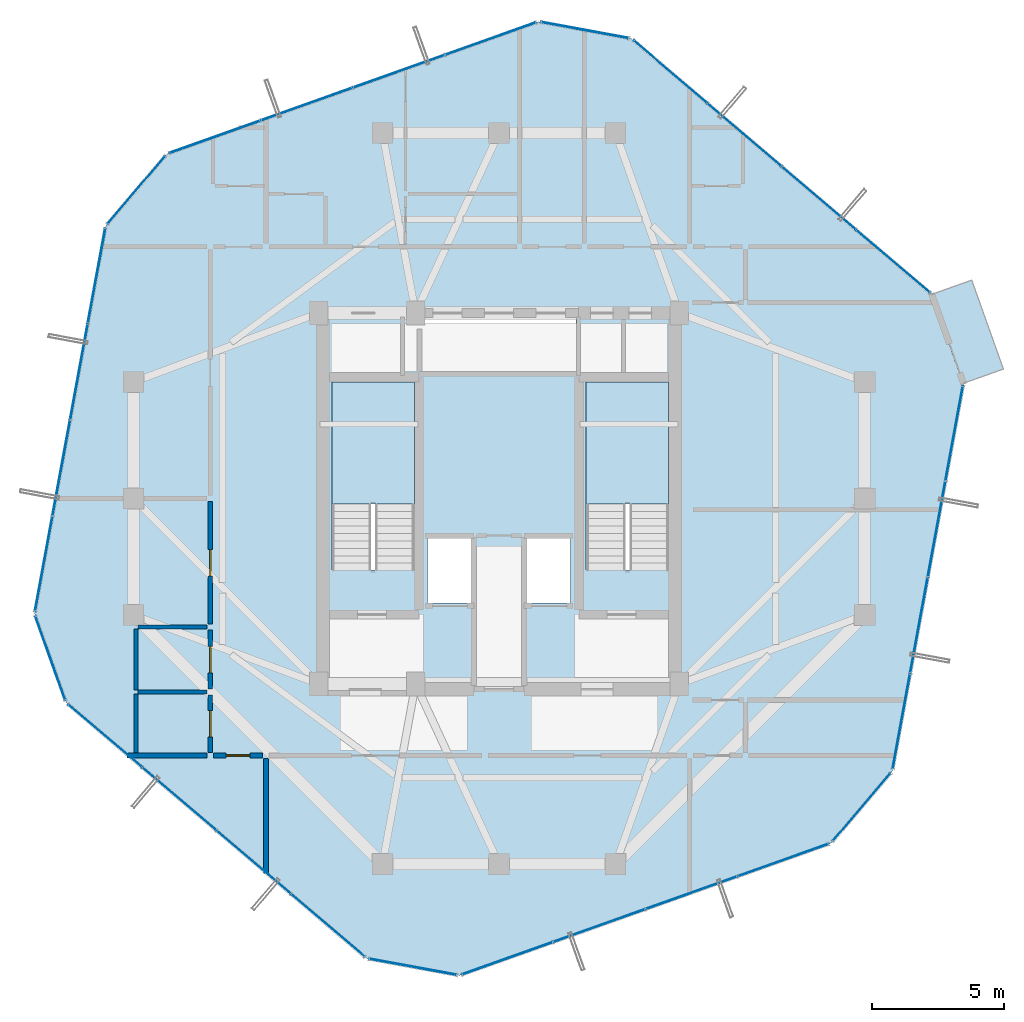
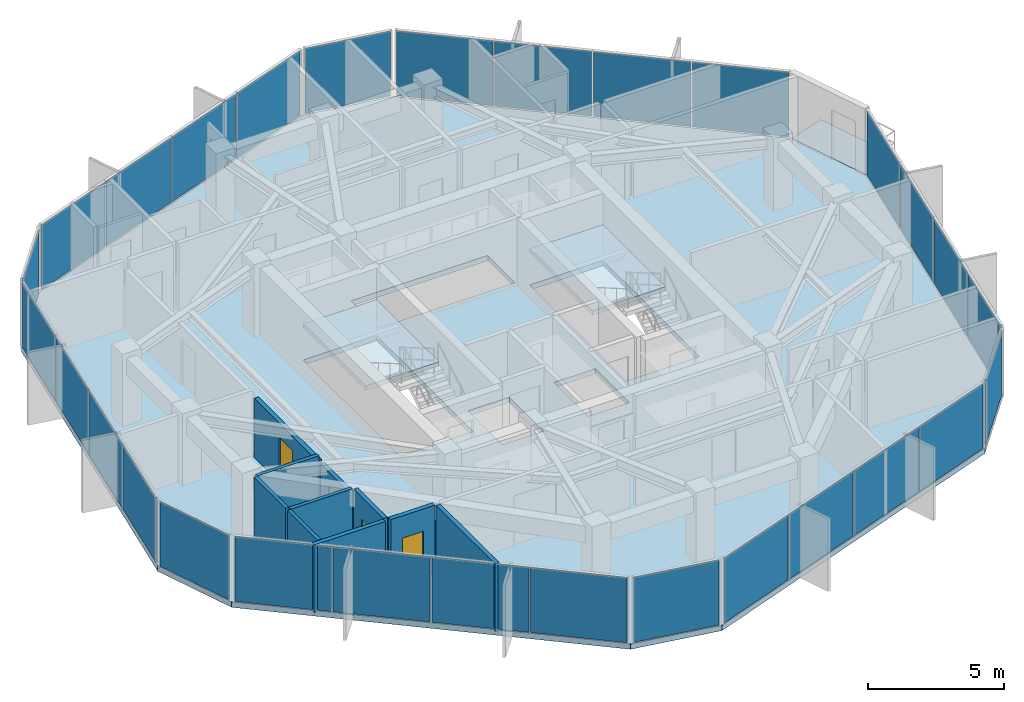
# One storey, part 24 of 29: 29 plates, 10 walls, 4 doors, 4 slabs, 4 openings, 13 elements without a shape of their own.
"""IFC4 building model written with IfcOpenShell, lengths in metres."""

from ifc_helpers import new_model, si_unit, direction, frame, frame_2d, origin, origin_2d, place, context, subcontext, project, spatial, polyline, rectangle, outline, extrude, source, transform, mapped, material, layer, layer_set, type_object, element, fill, aggregate, save


model = new_model("IFC4")

# Units and contexts
model_context = context("Model", 3, precision=1e-05, world=origin(), true_north=direction((0.0, 1.0)))
body_context = subcontext(model_context, "Body", "Model", "MODEL_VIEW")
ifc_project = project(units=[si_unit("LENGTHUNIT", "METRE"), si_unit("AREAUNIT", "SQUARE_METRE"), si_unit("VOLUMEUNIT", "CUBIC_METRE"), si_unit("PLANEANGLEUNIT", "RADIAN"), si_unit("MASSUNIT", "GRAM", prefix="KILO")], contexts=[model_context])

# Site, building, storey
site_placement = place(None, origin())
site = spatial("IfcSite", under=ifc_project, at=site_placement, CompositionType="ELEMENT")
building_placement = place(site_placement, origin())
building = spatial("IfcBuilding", under=site, at=building_placement, Name="Veraguas Prism Commons", CompositionType="ELEMENT")
storey_placement = place(building_placement, frame((0.0, 0.0, 244.75)))
storey = spatial("IfcBuildingStorey", under=building, at=storey_placement, Name="L69", CompositionType="ELEMENT", Elevation=244.75)

# Stair, slab
ifc_material_1 = material(Name="Precast concrete C45/55", Category="concrete")
stair_type = type_object("IfcStairType", Name="Dogleg Core Stair 1480W 20R 05", PredefinedType="HALF_TURN_STAIR", material=ifc_material_1)
stair_1_placement = place(storey_placement, origin())
stair_1 = element("IfcStair", 1, at=stair_1_placement, inside=storey, type_object=stair_type, Name="Protected Exit Stair ST-01 L69", PredefinedType="HALF_TURN_STAIR")
ifc_layer_1 = layer(ifc_material_1, 0.199951171875, Name="Precast Stair and Ramp Landing Slab 200", Category="concrete")
ifc_layer_set_1 = layer_set([ifc_layer_1], Name="Precast concrete C45/55")
slab_type_1 = type_object("IfcSlabType", Name="Precast Stair and Ramp Landing Slab 200", PredefinedType="LANDING", material=ifc_layer_set_1)
slab_1_placement = place(storey_placement, frame((0.0, 0.0, 1.425048828125)))
slab_1 = element("IfcSlab", 2, at=slab_1_placement, type_object=slab_type_1, Name="ST-05 Landing 1", PredefinedType="LANDING", context=body_context, shape_type="SweptSolid", body=[
    extrude(outline(polyline([(20.800048828125, 23.800048828125), (20.800048828125, 28.39990234375), (17.68994140625, 28.39990234375), (17.68994140625, 23.800048828125), (20.800048828125, 23.800048828125)])), origin(), (0.0, 0.0, 1.0), 0.199951171875),
])
aggregate(stair_1, [slab_1])

stair_2_placement = place(storey_placement, origin())
stair_2 = element("IfcStair", 3, at=stair_2_placement, inside=storey, type_object=stair_type, Name="Protected Exit Stair ST-02 L69", PredefinedType="HALF_TURN_STAIR")
slab_2_placement = place(storey_placement, frame((0.0, 0.0, 1.425048828125)))
slab_2 = element("IfcSlab", 4, at=slab_2_placement, type_object=slab_type_1, Name="ST-05 Landing 1", PredefinedType="LANDING", context=body_context, shape_type="SweptSolid", body=[
    extrude(outline(polyline([(30.39990234375, 23.800048828125), (30.39990234375, 28.39990234375), (27.2900390625, 28.39990234375), (27.2900390625, 23.800048828125), (30.39990234375, 23.800048828125)])), origin(), (0.0, 0.0, 1.0), 0.199951171875),
])
aggregate(stair_2, [slab_2])

# Slabs
ifc_material_2 = material(Name="Concrete C45/55", Category="concrete")
ifc_layer_2 = layer(ifc_material_2, 0.219970703125, Name="Recessed Loggia and Terrace Slab RC 220", Category="concrete")
ifc_layer_set_2 = layer_set([ifc_layer_2], Name="Concrete C45/55")
slab_type_2 = type_object("IfcSlabType", Name="Recessed Loggia and Terrace Slab RC 220", PredefinedType="FLOOR", material=ifc_layer_set_2)
slab_3_placement = place(storey_placement, frame((0.0, 0.0, -0.219970703125)))
element("IfcSlab", 5, at=slab_3_placement, inside=storey, type_object=slab_type_2, Name="Recessed Corner Loggia L69-C1", PredefinedType="FLOOR", context=body_context, shape_type="SweptSolid", body=[
    extrude(outline(polyline([(41.509033203125, 28.343994140625), (43.03515625, 28.88720703125), (41.840087890625, 32.243408203125), (40.31396484375, 31.699951171875), (41.509033203125, 28.343994140625)])), origin(), (0.0, 0.0, 1.0), 0.219970703125),
])
ifc_layer_3 = layer(ifc_material_2, 0.235107421875, Name="Tower Upper Residential Floor Slab RC 235", Category="concrete")
ifc_layer_set_3 = layer_set([ifc_layer_3], Name="Concrete C45/55")
slab_type_3 = type_object("IfcSlabType", Name="Tower Upper Residential Floor Slab RC 235", PredefinedType="FLOOR", material=ifc_layer_set_3)
slab_4_placement = place(storey_placement, frame((0.0, 0.0, -0.235107421875)))
element("IfcSlab", 6, at=slab_4_placement, inside=storey, type_object=slab_type_3, Name="Tower Floor Slab L69", PredefinedType="FLOOR", context=body_context, shape_type="SweptSolid", body=[
    extrude(outline(polyline([(41.52783203125, 28.3505859375), (40.332763671875, 31.70654296875), (28.99609375, 41.354736328125), (25.4921875, 41.997802734375), (11.468505859375, 37.004150390625), (9.159423828125, 34.291259765625), (6.47216796875, 19.6494140625), (7.667236328125, 16.29345703125), (19.00390625, 6.645263671875), (22.5078125, 6.002197265625), (36.531494140625, 10.995849609375), (38.840576171875, 13.708740234375), (41.52783203125, 28.3505859375)]), holes=[polyline([(20.800048828125, 21.31005859375), (20.800048828125, 28.39990234375), (17.68994140625, 28.39990234375), (17.68994140625, 21.31005859375), (20.800048828125, 21.31005859375)]), polyline([(30.39990234375, 21.31005859375), (30.39990234375, 28.39990234375), (27.2900390625, 28.39990234375), (27.2900390625, 21.31005859375), (30.39990234375, 21.31005859375)]), polyline([(21.10009765625, 28.800048828125), (26.89990234375, 28.800048828125), (26.89990234375, 30.800048828125), (21.10009765625, 30.800048828125), (21.10009765625, 28.800048828125)]), polyline([(21.300048828125, 20.050048828125), (23.050048828125, 20.050048828125), (23.050048828125, 22.550048828125), (21.300048828125, 22.550048828125), (21.300048828125, 20.050048828125)]), polyline([(24.949951171875, 20.050048828125), (26.699951171875, 20.050048828125), (26.699951171875, 22.550048828125), (24.949951171875, 22.550048828125), (24.949951171875, 20.050048828125)])]), origin(), (0.0, 0.0, 1.0), 0.235107421875),
])

# Curtain wall, plates
ifc_material_3 = material(Name="Anodised aluminium EN AW-6063 T6", Category="aluminium")
ifc_layer_4 = layer(ifc_material_3, 0.14990234375, Name="Unitised Flush Curtain Wall Zone 4", Category="aluminium")
ifc_layer_set_4 = layer_set([ifc_layer_4], Name="Anodised aluminium EN AW-6063 T6")
curtain_wall_type = type_object("IfcCurtainWallType", Name="Unitised Flush Curtain Wall Zone 4", PredefinedType="NOTDEFINED", material=ifc_layer_set_4)
curtain_wall_1_placement = place(storey_placement, origin())
curtain_wall_1 = element("IfcCurtainWall", 7, at=curtain_wall_1_placement, inside=storey, type_object=curtain_wall_type, Name="Tower Facade Curtain Wall L69-F1", PredefinedType="NOTDEFINED")
ifc_material_4 = material(Name="Laminated low-e glass", Category="glass")
ifc_layer_5 = layer(ifc_material_4, 0.028076171875, Name="Unitised Double Low-E Glazed Panel 28", Category="glass")
ifc_layer_set_5 = layer_set([ifc_layer_5], Name="Laminated low-e glass")
plate_type = type_object("IfcPlateType", Name="Unitised Double Low-E Glazed Panel 28", PredefinedType="CURTAIN_PANEL", material=ifc_layer_set_5)
shared_shape_1 = source(origin(), body_context, "Body", "SweptSolid", [
    extrude(rectangle(XDim=3.6015625, YDim=0.028076171875, at=origin_2d()), origin(), (0.0, 0.0, 1.0), 2.905029296875),
])
plate_1_placement = place(storey_placement, frame((38.8701171875, 32.951416015625, 0.05517578125), z_axis=(0.0, 0.0, 1.0), x_axis=(-0.761538307537, 0.648119901063, 0.0)))
plate_1 = element("IfcPlate", 8, at=plate_1_placement, type_object=plate_type, Name="CW-Z4 Panel 1.1", PredefinedType="CURTAIN_PANEL", context=body_context, shape_type="MappedRepresentation", body=[
    mapped(shared_shape_1, transform((0.0, 0.0, 0.0), scale=1.0)),
])
plate_2_placement = place(storey_placement, frame((30.458984375, 40.10986328125, 0.05517578125), z_axis=(0.0, 0.0, 1.0), x_axis=(-0.761538307537, 0.648119901063, 0.0)))
plate_2 = element("IfcPlate", 9, at=plate_2_placement, type_object=plate_type, Name="CW-Z4 Panel 4.1", PredefinedType="CURTAIN_PANEL", context=body_context, shape_type="MappedRepresentation", body=[
    mapped(shared_shape_1, transform((0.0, 0.0, 0.0), scale=1.0)),
])

curtain_wall_2_placement = place(storey_placement, origin())
curtain_wall_2 = element("IfcCurtainWall", 10, at=curtain_wall_2_placement, inside=storey, type_object=curtain_wall_type, Name="Tower Facade Curtain Wall L69-F2", PredefinedType="NOTDEFINED")
plate_3_placement = place(storey_placement, frame((23.6826171875, 41.353515625, 0.05517578125), z_axis=(0.0, 0.0, 1.0), x_axis=(-0.942055696354, -0.335456502347, 0.0)))
plate_3 = element("IfcPlate", 11, at=plate_3_placement, type_object=plate_type, Name="CW-Z4 Panel 1.1", PredefinedType="CURTAIN_PANEL", context=body_context, shape_type="MappedRepresentation", body=[
    mapped(shared_shape_1, transform((0.0, 0.0, 0.0), scale=1.0)),
])
plate_4_placement = place(storey_placement, frame((13.27783203125, 37.6484375, 0.05517578125), z_axis=(0.0, 0.0, 1.0), x_axis=(-0.942055696354, -0.335456502347, 0.0)))
plate_4 = element("IfcPlate", 12, at=plate_4_placement, type_object=plate_type, Name="CW-Z4 Panel 4.1", PredefinedType="CURTAIN_PANEL", context=body_context, shape_type="MappedRepresentation", body=[
    mapped(shared_shape_1, transform((0.0, 0.0, 0.0), scale=1.0)),
])

curtain_wall_3_placement = place(storey_placement, origin())
curtain_wall_3 = element("IfcCurtainWall", 13, at=curtain_wall_3_placement, inside=storey, type_object=curtain_wall_type, Name="Tower Facade Curtain Wall L69-F3", PredefinedType="NOTDEFINED")
plate_5_placement = place(storey_placement, frame((8.812744140625, 32.402099609375, 0.05517578125), z_axis=(0.0, 0.0, 1.0), x_axis=(-0.180524295216, -0.983570525604, 0.0)))
plate_5 = element("IfcPlate", 14, at=plate_5_placement, type_object=plate_type, Name="CW-Z4 Panel 1.1", PredefinedType="CURTAIN_PANEL", context=body_context, shape_type="MappedRepresentation", body=[
    mapped(shared_shape_1, transform((0.0, 0.0, 0.0), scale=1.0)),
])
plate_6_placement = place(storey_placement, frame((6.81884765625, 21.53857421875, 0.05517578125), z_axis=(0.0, 0.0, 1.0), x_axis=(-0.180524295216, -0.983570525604, 0.0)))
plate_6 = element("IfcPlate", 15, at=plate_6_placement, type_object=plate_type, Name="CW-Z4 Panel 4.1", PredefinedType="CURTAIN_PANEL", context=body_context, shape_type="MappedRepresentation", body=[
    mapped(shared_shape_1, transform((0.0, 0.0, 0.0), scale=1.0)),
])

curtain_wall_4_placement = place(storey_placement, origin())
curtain_wall_4 = element("IfcCurtainWall", 16, at=curtain_wall_4_placement, inside=storey, type_object=curtain_wall_type, Name="Tower Facade Curtain Wall L69-F4", PredefinedType="NOTDEFINED")
plate_7_placement = place(storey_placement, frame((9.1298828125, 15.048583984375, 0.05517578125), z_axis=(0.0, 0.0, 1.0), x_axis=(0.761538307537, -0.648119901063, 0.0)))
plate_7 = element("IfcPlate", 17, at=plate_7_placement, type_object=plate_type, Name="CW-Z4 Panel 1.1", PredefinedType="CURTAIN_PANEL", context=body_context, shape_type="MappedRepresentation", body=[
    mapped(shared_shape_1, transform((0.0, 0.0, 0.0), scale=1.0)),
])
plate_8_placement = place(storey_placement, frame((17.541015625, 7.89013671875, 0.05517578125), z_axis=(0.0, 0.0, 1.0), x_axis=(0.761538307537, -0.648119901063, 0.0)))
plate_8 = element("IfcPlate", 18, at=plate_8_placement, type_object=plate_type, Name="CW-Z4 Panel 4.1", PredefinedType="CURTAIN_PANEL", context=body_context, shape_type="MappedRepresentation", body=[
    mapped(shared_shape_1, transform((0.0, 0.0, 0.0), scale=1.0)),
])

curtain_wall_5_placement = place(storey_placement, origin())
curtain_wall_5 = element("IfcCurtainWall", 19, at=curtain_wall_5_placement, inside=storey, type_object=curtain_wall_type, Name="Tower Facade Curtain Wall L69-F5", PredefinedType="NOTDEFINED")
plate_9_placement = place(storey_placement, frame((24.3173828125, 6.646484375, 0.05517578125), z_axis=(0.0, 0.0, 1.0), x_axis=(0.942055696354, 0.335456502347, 0.0)))
plate_9 = element("IfcPlate", 20, at=plate_9_placement, type_object=plate_type, Name="CW-Z4 Panel 1.1", PredefinedType="CURTAIN_PANEL", context=body_context, shape_type="MappedRepresentation", body=[
    mapped(shared_shape_1, transform((0.0, 0.0, 0.0), scale=1.0)),
])
plate_10_placement = place(storey_placement, frame((34.72216796875, 10.3515625, 0.05517578125), z_axis=(0.0, 0.0, 1.0), x_axis=(0.942055696354, 0.335456502347, 0.0)))
plate_10 = element("IfcPlate", 21, at=plate_10_placement, type_object=plate_type, Name="CW-Z4 Panel 4.1", PredefinedType="CURTAIN_PANEL", context=body_context, shape_type="MappedRepresentation", body=[
    mapped(shared_shape_1, transform((0.0, 0.0, 0.0), scale=1.0)),
])

curtain_wall_6_placement = place(storey_placement, origin())
curtain_wall_6 = element("IfcCurtainWall", 22, at=curtain_wall_6_placement, inside=storey, type_object=curtain_wall_type, Name="Tower Facade Curtain Wall L69-F6", PredefinedType="NOTDEFINED")
plate_11_placement = place(storey_placement, frame((39.187255859375, 15.597900390625, 0.05517578125), z_axis=(0.0, 0.0, 1.0), x_axis=(0.180524295216, 0.983570525604, 0.0)))
plate_11 = element("IfcPlate", 23, at=plate_11_placement, type_object=plate_type, Name="CW-Z4 Panel 1.1", PredefinedType="CURTAIN_PANEL", context=body_context, shape_type="MappedRepresentation", body=[
    mapped(shared_shape_1, transform((0.0, 0.0, 0.0), scale=1.0)),
])
plate_12_placement = place(storey_placement, frame((41.18115234375, 26.46142578125, 0.05517578125), z_axis=(0.0, 0.0, 1.0), x_axis=(0.180524295216, 0.983570525604, 0.0)))
plate_12 = element("IfcPlate", 24, at=plate_12_placement, type_object=plate_type, Name="CW-Z4 Panel 4.1", PredefinedType="CURTAIN_PANEL", context=body_context, shape_type="MappedRepresentation", body=[
    mapped(shared_shape_1, transform((0.0, 0.0, 0.0), scale=1.0)),
])

# Plate
shared_shape_2 = source(origin(), body_context, "Body", "SweptSolid", [
    extrude(rectangle(XDim=3.631591796875, YDim=0.028076171875, at=origin_2d()), origin(), (0.0, 0.0, 1.0), 2.905029296875),
])
plate_13_placement = place(storey_placement, frame((36.070068359375, 35.33447265625, 0.05517578125), z_axis=(0.0, 0.0, 1.0), x_axis=(-0.761538307537, 0.648119901063, 0.0)))
plate_13 = element("IfcPlate", 25, at=plate_13_placement, type_object=plate_type, Name="CW-Z4 Panel 2.1", PredefinedType="CURTAIN_PANEL", context=body_context, shape_type="MappedRepresentation", body=[
    mapped(shared_shape_2, transform((0.0, 0.0, 0.0), scale=1.0)),
])

plate_14_placement = place(storey_placement, frame((33.2587890625, 37.72705078125, 0.05517578125), z_axis=(0.0, 0.0, 1.0), x_axis=(-0.761538307537, 0.648119901063, 0.0)))
plate_14 = element("IfcPlate", 26, at=plate_14_placement, type_object=plate_type, Name="CW-Z4 Panel 3.1", PredefinedType="CURTAIN_PANEL", context=body_context, shape_type="MappedRepresentation", body=[
    mapped(shared_shape_2, transform((0.0, 0.0, 0.0), scale=1.0)),
])

aggregate(curtain_wall_1, [plate_1, plate_13, plate_14, plate_2])

plate_15_placement = place(storey_placement, frame((20.21923828125, 40.1201171875, 0.05517578125), z_axis=(0.0, 0.0, 1.0), x_axis=(-0.942055696354, -0.335456502347, 0.0)))
plate_15 = element("IfcPlate", 27, at=plate_15_placement, type_object=plate_type, Name="CW-Z4 Panel 2.1", PredefinedType="CURTAIN_PANEL", context=body_context, shape_type="MappedRepresentation", body=[
    mapped(shared_shape_2, transform((0.0, 0.0, 0.0), scale=1.0)),
])

plate_16_placement = place(storey_placement, frame((16.741455078125, 38.8818359375, 0.05517578125), z_axis=(0.0, 0.0, 1.0), x_axis=(-0.942055696354, -0.335456502347, 0.0)))
plate_16 = element("IfcPlate", 28, at=plate_16_placement, type_object=plate_type, Name="CW-Z4 Panel 3.1", PredefinedType="CURTAIN_PANEL", context=body_context, shape_type="MappedRepresentation", body=[
    mapped(shared_shape_2, transform((0.0, 0.0, 0.0), scale=1.0)),
])

aggregate(curtain_wall_2, [plate_3, plate_15, plate_16, plate_4])

plate_17_placement = place(storey_placement, frame((8.149169921875, 28.785888671875, 0.05517578125), z_axis=(0.0, 0.0, 1.0), x_axis=(-0.180524295216, -0.983570525604, 0.0)))
plate_17 = element("IfcPlate", 29, at=plate_17_placement, type_object=plate_type, Name="CW-Z4 Panel 2.1", PredefinedType="CURTAIN_PANEL", context=body_context, shape_type="MappedRepresentation", body=[
    mapped(shared_shape_2, transform((0.0, 0.0, 0.0), scale=1.0)),
])

plate_18_placement = place(storey_placement, frame((7.482666015625, 25.15478515625, 0.05517578125), z_axis=(0.0, 0.0, 1.0), x_axis=(-0.180524295216, -0.983570525604, 0.0)))
plate_18 = element("IfcPlate", 30, at=plate_18_placement, type_object=plate_type, Name="CW-Z4 Panel 3.1", PredefinedType="CURTAIN_PANEL", context=body_context, shape_type="MappedRepresentation", body=[
    mapped(shared_shape_2, transform((0.0, 0.0, 0.0), scale=1.0)),
])

aggregate(curtain_wall_3, [plate_5, plate_17, plate_18, plate_6])

plate_19_placement = place(storey_placement, frame((11.929931640625, 12.66552734375, 0.05517578125), z_axis=(0.0, 0.0, 1.0), x_axis=(0.761538307537, -0.648119901063, 0.0)))
plate_19 = element("IfcPlate", 31, at=plate_19_placement, type_object=plate_type, Name="CW-Z4 Panel 2.1", PredefinedType="CURTAIN_PANEL", context=body_context, shape_type="MappedRepresentation", body=[
    mapped(shared_shape_2, transform((0.0, 0.0, 0.0), scale=1.0)),
])

plate_20_placement = place(storey_placement, frame((14.7412109375, 10.27294921875, 0.05517578125), z_axis=(0.0, 0.0, 1.0), x_axis=(0.761538307537, -0.648119901063, 0.0)))
plate_20 = element("IfcPlate", 32, at=plate_20_placement, type_object=plate_type, Name="CW-Z4 Panel 3.1", PredefinedType="CURTAIN_PANEL", context=body_context, shape_type="MappedRepresentation", body=[
    mapped(shared_shape_2, transform((0.0, 0.0, 0.0), scale=1.0)),
])

aggregate(curtain_wall_4, [plate_7, plate_19, plate_20, plate_8])

plate_21_placement = place(storey_placement, frame((27.78076171875, 7.8798828125, 0.05517578125), z_axis=(0.0, 0.0, 1.0), x_axis=(0.942055696354, 0.335456502347, 0.0)))
plate_21 = element("IfcPlate", 33, at=plate_21_placement, type_object=plate_type, Name="CW-Z4 Panel 2.1", PredefinedType="CURTAIN_PANEL", context=body_context, shape_type="MappedRepresentation", body=[
    mapped(shared_shape_2, transform((0.0, 0.0, 0.0), scale=1.0)),
])

plate_22_placement = place(storey_placement, frame((31.258544921875, 9.1181640625, 0.05517578125), z_axis=(0.0, 0.0, 1.0), x_axis=(0.942055696354, 0.335456502347, 0.0)))
plate_22 = element("IfcPlate", 34, at=plate_22_placement, type_object=plate_type, Name="CW-Z4 Panel 3.1", PredefinedType="CURTAIN_PANEL", context=body_context, shape_type="MappedRepresentation", body=[
    mapped(shared_shape_2, transform((0.0, 0.0, 0.0), scale=1.0)),
])

aggregate(curtain_wall_5, [plate_9, plate_21, plate_22, plate_10])

plate_23_placement = place(storey_placement, frame((39.850830078125, 19.214111328125, 0.05517578125), z_axis=(0.0, 0.0, 1.0), x_axis=(0.180524295216, 0.983570525604, 0.0)))
plate_23 = element("IfcPlate", 35, at=plate_23_placement, type_object=plate_type, Name="CW-Z4 Panel 2.1", PredefinedType="CURTAIN_PANEL", context=body_context, shape_type="MappedRepresentation", body=[
    mapped(shared_shape_2, transform((0.0, 0.0, 0.0), scale=1.0)),
])

plate_24_placement = place(storey_placement, frame((40.517333984375, 22.84521484375, 0.05517578125), z_axis=(0.0, 0.0, 1.0), x_axis=(0.180524295216, 0.983570525604, 0.0)))
plate_24 = element("IfcPlate", 36, at=plate_24_placement, type_object=plate_type, Name="CW-Z4 Panel 3.1", PredefinedType="CURTAIN_PANEL", context=body_context, shape_type="MappedRepresentation", body=[
    mapped(shared_shape_2, transform((0.0, 0.0, 0.0), scale=1.0)),
])

aggregate(curtain_wall_6, [plate_11, plate_23, plate_24, plate_12])

# Curtain wall, plate
curtain_wall_7_placement = place(storey_placement, origin())
curtain_wall_7 = element("IfcCurtainWall", 37, at=curtain_wall_7_placement, inside=storey, type_object=curtain_wall_type, Name="Chamfer Curtain Wall L69-C2", PredefinedType="NOTDEFINED")
shared_shape_3 = source(origin(), body_context, "Body", "SweptSolid", [
    extrude(rectangle(XDim=3.322509765625, YDim=0.028076171875, at=origin_2d()), origin(), (0.0, 0.0, 1.0), 2.905029296875),
])
plate_25_placement = place(storey_placement, frame((27.244140625, 41.67626953125, 0.05517578125), z_axis=(0.0, 0.0, 1.0), x_axis=(-0.983568635104, 0.180534595133, 0.0)))
plate_25 = element("IfcPlate", 38, at=plate_25_placement, type_object=plate_type, Name="CW-Z4 Panel 1.1", PredefinedType="CURTAIN_PANEL", context=body_context, shape_type="MappedRepresentation", body=[
    mapped(shared_shape_3, transform((0.0, 0.0, 0.0), scale=1.0)),
])
aggregate(curtain_wall_7, [plate_25])

curtain_wall_8_placement = place(storey_placement, origin())
curtain_wall_8 = element("IfcCurtainWall", 39, at=curtain_wall_8_placement, inside=storey, type_object=curtain_wall_type, Name="Chamfer Curtain Wall L69-C3", PredefinedType="NOTDEFINED")
plate_26_placement = place(storey_placement, frame((10.31396484375, 35.647705078125, 0.05517578125), z_axis=(0.0, 0.0, 1.0), x_axis=(-0.648125217588, -0.761533782788, 0.0)))
plate_26 = element("IfcPlate", 40, at=plate_26_placement, type_object=plate_type, Name="CW-Z4 Panel 1.1", PredefinedType="CURTAIN_PANEL", context=body_context, shape_type="MappedRepresentation", body=[
    mapped(shared_shape_3, transform((0.0, 0.0, 0.0), scale=1.0)),
])
aggregate(curtain_wall_8, [plate_26])

curtain_wall_9_placement = place(storey_placement, origin())
curtain_wall_9 = element("IfcCurtainWall", 41, at=curtain_wall_9_placement, inside=storey, type_object=curtain_wall_type, Name="Chamfer Curtain Wall L69-C4", PredefinedType="NOTDEFINED")
plate_27_placement = place(storey_placement, frame((7.069580078125, 17.971435546875, 0.05517578125), z_axis=(0.0, 0.0, 1.0), x_axis=(0.335456502347, -0.942055696354, 0.0)))
plate_27 = element("IfcPlate", 42, at=plate_27_placement, type_object=plate_type, Name="CW-Z4 Panel 1.1", PredefinedType="CURTAIN_PANEL", context=body_context, shape_type="MappedRepresentation", body=[
    mapped(shared_shape_3, transform((0.0, 0.0, 0.0), scale=1.0)),
])
aggregate(curtain_wall_9, [plate_27])

curtain_wall_10_placement = place(storey_placement, origin())
curtain_wall_10 = element("IfcCurtainWall", 43, at=curtain_wall_10_placement, inside=storey, type_object=curtain_wall_type, Name="Chamfer Curtain Wall L69-C5", PredefinedType="NOTDEFINED")
plate_28_placement = place(storey_placement, frame((20.755859375, 6.32373046875, 0.05517578125), z_axis=(0.0, 0.0, 1.0), x_axis=(0.983568635104, -0.180534595133, 0.0)))
plate_28 = element("IfcPlate", 44, at=plate_28_placement, type_object=plate_type, Name="CW-Z4 Panel 1.1", PredefinedType="CURTAIN_PANEL", context=body_context, shape_type="MappedRepresentation", body=[
    mapped(shared_shape_3, transform((0.0, 0.0, 0.0), scale=1.0)),
])
aggregate(curtain_wall_10, [plate_28])

curtain_wall_11_placement = place(storey_placement, origin())
curtain_wall_11 = element("IfcCurtainWall", 45, at=curtain_wall_11_placement, inside=storey, type_object=curtain_wall_type, Name="Chamfer Curtain Wall L69-C6", PredefinedType="NOTDEFINED")
plate_29_placement = place(storey_placement, frame((37.68603515625, 12.352294921875, 0.05517578125), z_axis=(0.0, 0.0, 1.0), x_axis=(0.648125217588, 0.761533782788, 0.0)))
plate_29 = element("IfcPlate", 46, at=plate_29_placement, type_object=plate_type, Name="CW-Z4 Panel 1.1", PredefinedType="CURTAIN_PANEL", context=body_context, shape_type="MappedRepresentation", body=[
    mapped(shared_shape_3, transform((0.0, 0.0, 0.0), scale=1.0)),
])
aggregate(curtain_wall_11, [plate_29])

# Walls
ifc_material_5 = material(Name="Autoclaved aerated masonry block 10 MPa", Category="masonry")
ifc_layer_6 = layer(ifc_material_5, 0.179931640625, Name="Corridor and Inter-Tenancy Partition 180", Category="masonry")
ifc_layer_set_6 = layer_set([ifc_layer_6], Name="Autoclaved aerated masonry block 10 MPa")
wall_type_1 = type_object("IfcWallType", Name="Corridor and Inter-Tenancy Partition 180", PredefinedType="PARTITIONING", material=ifc_layer_set_6)
wall_1_placement = place(storey_placement, frame((15.199951171875, 14.179931640625, 0.0), z_axis=(0.0, 0.0, 1.0), x_axis=(0.0, -1.0, 0.0)))
element("IfcWall", 47, at=wall_1_placement, inside=storey, type_object=wall_type_1, Name="WL-L69-PT001", PredefinedType="PARTITIONING", context=body_context, shape_type="SweptSolid", body=[
    extrude(rectangle(XDim=4.3369140625, YDim=0.179931640625, at=frame_2d((2.16845703125, 0.0))), origin(), (0.0, 0.0, 1.0), 3.014892578125),
])
wall_2_placement = place(storey_placement, frame((12.97998046875, 14.300048828125, 0.0), z_axis=(0.0, 0.0, 1.0), x_axis=(-1.0, 0.0, 0.0)))
element("IfcWall", 48, at=wall_2_placement, inside=storey, type_object=wall_type_1, Name="WL-L69-PT017", PredefinedType="PARTITIONING", context=body_context, shape_type="SweptSolid", body=[
    extrude(rectangle(XDim=3.016845703125, YDim=0.179931640625, at=frame_2d((1.50830078125, 0.0))), origin(), (0.0, 0.0, 1.0), 3.014892578125),
])

# Wall, opening, door
wall_3_placement = place(storey_placement, frame((13.10009765625, 14.409912109375, 0.0), z_axis=(0.0, 0.0, 1.0), x_axis=(0.0, 1.0, 0.0)))
wall_3 = element("IfcWall", 49, at=wall_3_placement, inside=storey, type_object=wall_type_1, Name="WL-L69-PT019", PredefinedType="PARTITIONING", context=body_context, shape_type="SweptSolid", body=[
    extrude(rectangle(XDim=2.18017578125, YDim=0.179931640625, at=frame_2d((1.090087890625, 0.0))), origin(), (0.0, 0.0, 1.0), 3.014892578125),
])
opening_1_placement = place(wall_3_placement, frame((0.590087890625, 0.0, 0.0)))
opening_1 = element("IfcOpeningElement", 50, at=opening_1_placement, cuts=wall_3, Name="Opening DR-13", PredefinedType="OPENING", context=body_context, shape_type="SweptSolid", body=[
    extrude(rectangle(XDim=1.0, YDim=2.010009765625, at=frame_2d((0.5, 1.0048828125))), frame((0.0, 0.099853515625, 0.0), z_axis=(0.0, -1.0, 0.0), x_axis=(1.0, 0.0, 0.0)), (0.0, 0.0, 1.0), 0.199951171875),
])
ifc_material_6 = material(Name="Steel fire-rated door assembly", Category="steel")
door_type_1 = type_object("IfcDoorType", Name="Core Accessible WC and Clinic Fire Door 1000x2010", OperationType="NOTDEFINED", PredefinedType="DOOR", material=ifc_material_6)
shared_shape_4 = source(origin(), body_context, "Body", "SweptSolid", [
    extrude(rectangle(XDim=1.0, YDim=2.010009765625, at=frame_2d((0.5, 1.0048828125))), frame((0.0, 0.02490234375, 0.0), z_axis=(0.0, -1.0, 0.0), x_axis=(1.0, 0.0, 0.0)), (0.0, 0.0, 1.0), 0.050048828125),
])
door_1_placement = place(opening_1_placement, origin())
door_1 = element("IfcDoor", 51, at=door_1_placement, inside=storey, type_object=door_type_1, Name="Public WC L69 Door", OperationType="SINGLE_SWING_LEFT", OverallHeight=2.010009765625, OverallWidth=1.0, PredefinedType="DOOR", context=body_context, shape_type="MappedRepresentation", body=[
    mapped(shared_shape_4, transform((0.0, 0.0, 0.0), scale=1.0)),
])
fill(opening_1, door_1)

wall_4_placement = place(storey_placement, frame((13.10009765625, 16.81005859375, 0.0), z_axis=(0.0, 0.0, 1.0), x_axis=(0.0, 1.0, 0.0)))
wall_4 = element("IfcWall", 52, at=wall_4_placement, inside=storey, type_object=wall_type_1, Name="WL-L69-PT020", PredefinedType="PARTITIONING", context=body_context, shape_type="SweptSolid", body=[
    extrude(rectangle(XDim=2.22998046875, YDim=0.179931640625, at=frame_2d((1.114990234375, 0.0))), origin(), (0.0, 0.0, 1.0), 2.662109375),
])
opening_2_placement = place(wall_4_placement, frame((0.614990234375, 0.0, 0.0)))
opening_2 = element("IfcOpeningElement", 53, at=opening_2_placement, cuts=wall_4, Name="Opening DR-13", PredefinedType="OPENING", context=body_context, shape_type="SweptSolid", body=[
    extrude(rectangle(XDim=1.0, YDim=2.010009765625, at=frame_2d((0.5, 1.0048828125))), frame((0.0, 0.099853515625, 0.0), z_axis=(0.0, -1.0, 0.0), x_axis=(1.0, 0.0, 0.0)), (0.0, 0.0, 1.0), 0.199951171875),
])
door_2_placement = place(opening_2_placement, origin())
door_2 = element("IfcDoor", 54, at=door_2_placement, inside=storey, type_object=door_type_1, Name="Accessible WC L69 Door", OperationType="SINGLE_SWING_RIGHT", OverallHeight=2.010009765625, OverallWidth=1.0, PredefinedType="DOOR", context=body_context, shape_type="MappedRepresentation", body=[
    mapped(shared_shape_4, transform((0.0, 0.0, 0.0), scale=1.0)),
])
fill(opening_2, door_2)

wall_5_placement = place(storey_placement, frame((13.10009765625, 19.260009765625, 0.0), z_axis=(0.0, 0.0, 1.0), x_axis=(0.0, 1.0, 0.0)))
wall_5 = element("IfcWall", 55, at=wall_5_placement, inside=storey, type_object=wall_type_1, Name="WL-L69-PT021", PredefinedType="PARTITIONING", context=body_context, shape_type="SweptSolid", body=[
    extrude(rectangle(XDim=4.6298828125, YDim=0.179931640625, at=frame_2d((2.31494140625, 0.0))), origin(), (0.0, 0.0, 1.0), 2.662109375),
])
opening_3_placement = place(wall_5_placement, frame((1.81494140625, 0.0, 0.0)))
opening_3 = element("IfcOpeningElement", 56, at=opening_3_placement, cuts=wall_5, Name="Opening DR-13", PredefinedType="OPENING", context=body_context, shape_type="SweptSolid", body=[
    extrude(rectangle(XDim=1.0, YDim=2.010009765625, at=frame_2d((0.5, 1.0048828125))), frame((0.0, 0.099853515625, 0.0), z_axis=(0.0, -1.0, 0.0), x_axis=(1.0, 0.0, 0.0)), (0.0, 0.0, 1.0), 0.199951171875),
])
door_3_placement = place(opening_3_placement, origin())
door_3 = element("IfcDoor", 57, at=door_3_placement, inside=storey, type_object=door_type_1, Name="Quiet Study L69 Door", OperationType="SINGLE_SWING_LEFT", OverallHeight=2.010009765625, OverallWidth=1.0, PredefinedType="DOOR", context=body_context, shape_type="MappedRepresentation", body=[
    mapped(shared_shape_4, transform((0.0, 0.0, 0.0), scale=1.0)),
])
fill(opening_3, door_3)

wall_6_placement = place(storey_placement, frame((13.219970703125, 14.300048828125, 0.0), z_axis=(0.0, 0.0, 1.0), x_axis=(1.0, 0.0, 0.0)))
wall_6 = element("IfcWall", 58, at=wall_6_placement, inside=storey, type_object=wall_type_1, Name="WL-L69-PT035", PredefinedType="PARTITIONING", context=body_context, shape_type="SweptSolid", body=[
    extrude(rectangle(XDim=1.860107421875, YDim=0.179931640625, at=frame_2d((0.93017578125, 0.0))), origin(), (0.0, 0.0, 1.0), 3.014892578125),
])
opening_4_placement = place(wall_6_placement, frame((0.47998046875, 0.0, 0.0)))
opening_4 = element("IfcOpeningElement", 59, at=opening_4_placement, cuts=wall_6, Name="Opening DR-14", PredefinedType="OPENING", context=body_context, shape_type="SweptSolid", body=[
    extrude(rectangle(XDim=0.89990234375, YDim=2.010009765625, at=frame_2d((0.449951171875, 1.0048828125))), frame((0.0, 0.099853515625, 0.0), z_axis=(0.0, -1.0, 0.0), x_axis=(1.0, 0.0, 0.0)), (0.0, 0.0, 1.0), 0.199951171875),
])
door_type_2 = type_object("IfcDoorType", Name="Core Service Room Fire Door 900x2010", OperationType="NOTDEFINED", PredefinedType="DOOR", material=ifc_material_6)
shared_shape_5 = source(origin(), body_context, "Body", "SweptSolid", [
    extrude(rectangle(XDim=0.89990234375, YDim=2.010009765625, at=frame_2d((0.449951171875, 1.0048828125))), frame((0.0, 0.02490234375, 0.0), z_axis=(0.0, -1.0, 0.0), x_axis=(1.0, 0.0, 0.0)), (0.0, 0.0, 1.0), 0.050048828125),
])
door_4_placement = place(opening_4_placement, origin())
door_4 = element("IfcDoor", 60, at=door_4_placement, inside=storey, type_object=door_type_2, Name="Residents Cycle and Pram Store SW Door", OperationType="SINGLE_SWING_LEFT", OverallHeight=2.010009765625, OverallWidth=0.89990234375, PredefinedType="DOOR", context=body_context, shape_type="MappedRepresentation", body=[
    mapped(shared_shape_5, transform((0.0, 0.0, 0.0), scale=1.0)),
])
fill(opening_4, door_4)

# Walls
ifc_material_7 = material(Name="Lightweight acoustic gypsum board")
ifc_layer_7 = layer(ifc_material_7, 0.14990234375, Name="Wet Room and Clinic Acoustic Partition 150")
ifc_layer_set_7 = layer_set([ifc_layer_7], Name="Lightweight acoustic gypsum board")
wall_type_2 = type_object("IfcWallType", Name="Wet Room and Clinic Acoustic Partition 150", PredefinedType="PARTITIONING", material=ifc_layer_set_7)
for number, where, z_axis, x_axis, name in (
    (61, (12.97998046875, 16.699951171875, 0.0), (0.0, 0.0, 1.0), (-1.0, 0.0, 0.0), "WL-L69-PT023"),
    (62, (12.97998046875, 19.14990234375, 0.0), (0.0, 0.0, 1.0), (-1.0, 0.0, 0.0), "WL-L69-PT024"),
):
    element("IfcWall", number, at=place(storey_placement, frame(where, z_axis=z_axis, x_axis=x_axis)), inside=storey, type_object=wall_type_2, Name=name, PredefinedType="PARTITIONING", context=body_context, shape_type="SweptSolid", body=[
        extrude(rectangle(XDim=2.60009765625, YDim=0.14990234375, at=frame_2d((1.300048828125, 0.0))), origin(), (0.0, 0.0, 1.0), 3.014892578125),
    ])
wall_7_placement = place(storey_placement, frame((10.300048828125, 14.419921875, 0.0), z_axis=(0.0, 0.0, 1.0), x_axis=(0.0, 1.0, 0.0)))
element("IfcWall", 63, at=wall_7_placement, inside=storey, type_object=wall_type_2, Name="WL-L69-PT025", PredefinedType="PARTITIONING", context=body_context, shape_type="SweptSolid", body=[
    extrude(rectangle(XDim=2.2001953125, YDim=0.14990234375, at=frame_2d((1.10009765625, 0.0))), origin(), (0.0, 0.0, 1.0), 3.014892578125),
])
wall_8_placement = place(storey_placement, frame((10.300048828125, 16.780029296875, 0.0), z_axis=(0.0, 0.0, 1.0), x_axis=(0.0, 1.0, 0.0)))
element("IfcWall", 64, at=wall_8_placement, inside=storey, type_object=wall_type_2, Name="WL-L69-PT026", PredefinedType="PARTITIONING", context=body_context, shape_type="SweptSolid", body=[
    extrude(rectangle(XDim=2.2900390625, YDim=0.14990234375, at=frame_2d((1.14501953125, 0.0))), origin(), (0.0, 0.0, 1.0), 3.014892578125),
])

save(model, "model.ifc")
